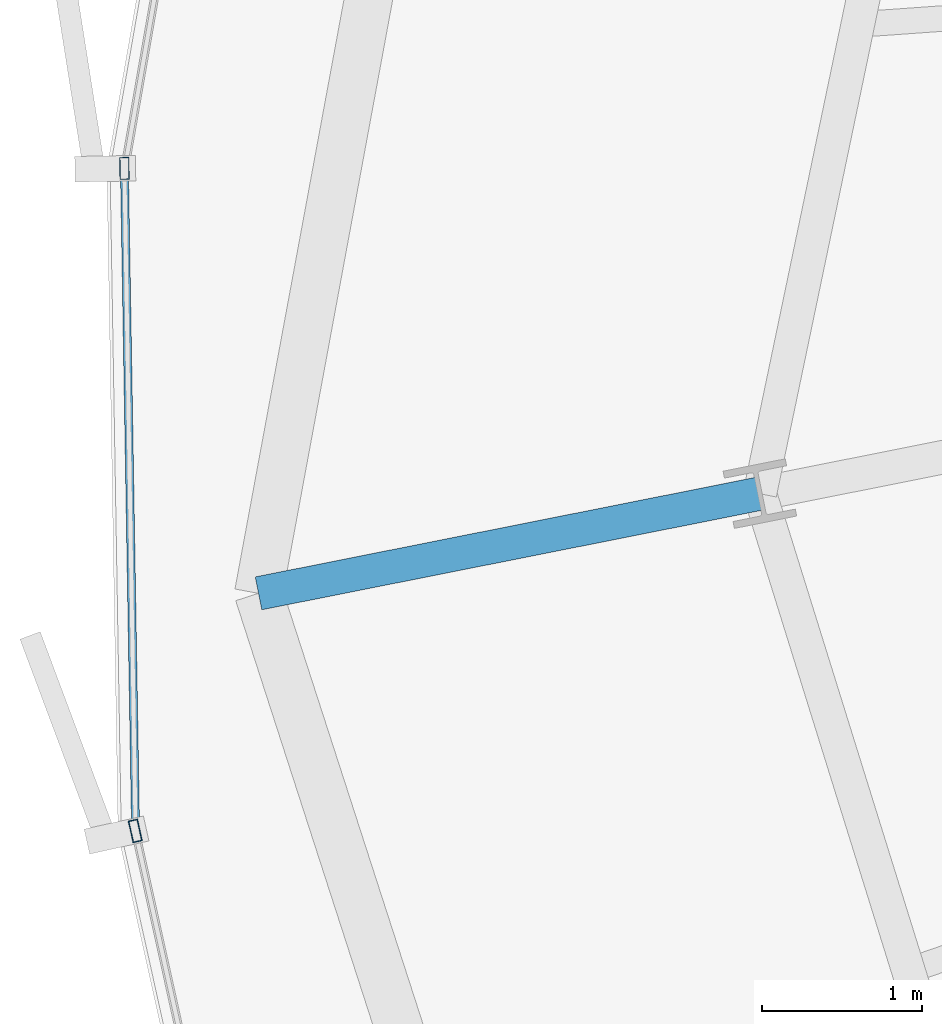
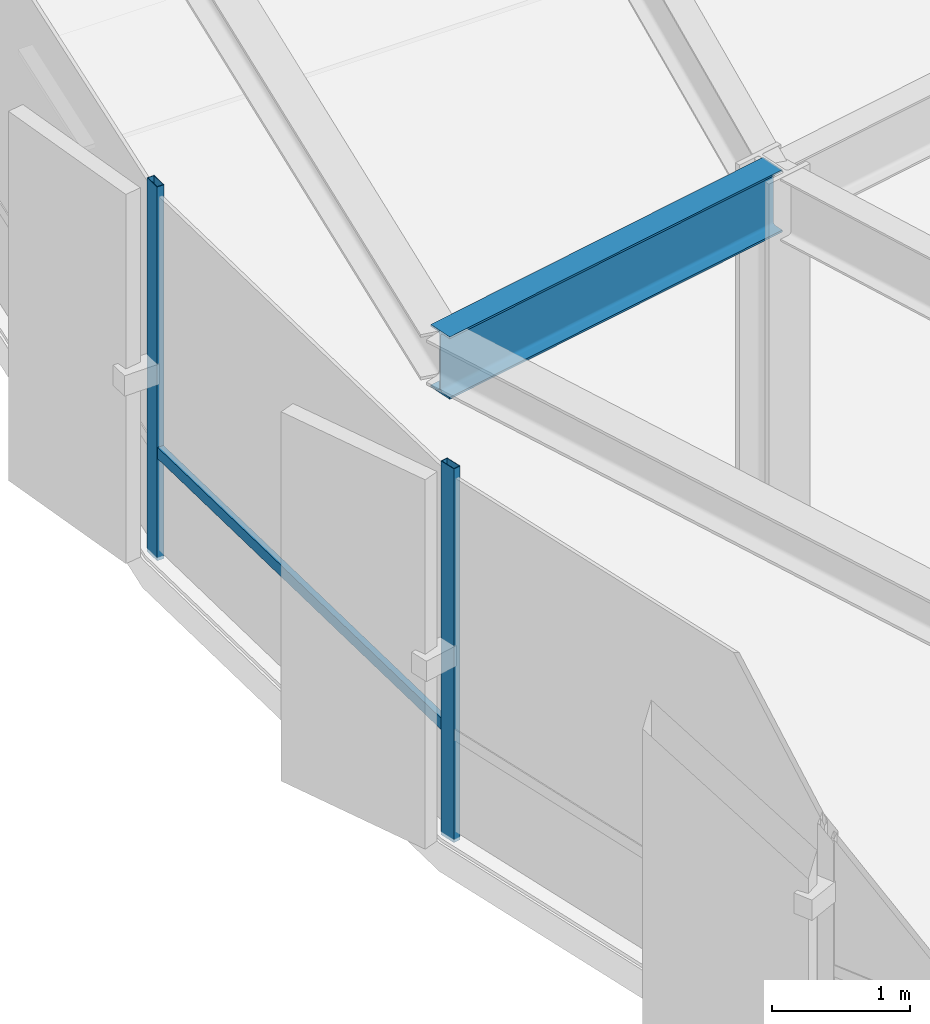
# One storey, part 8 of 32: 3 members, 1 beam, 1 element without a shape of its own.
"""IFC4 building model written with IfcOpenShell, lengths in metres."""

from ifc_helpers import new_model, si_unit, direction, frame, origin, origin_2d, place, context, subcontext, project, spatial, hollow_rectangle, i_section, extrude, source, transform, mapped, material, layer, layer_set, material_profile, profile_set, type_object, element, aggregate, save


model = new_model("IFC4")

# Units and contexts
model_context = context("Model", 3, precision=1e-05, world=origin(), true_north=direction((0.0, 1.0)))
body_context = subcontext(model_context, "Body", "Model", "MODEL_VIEW")
ifc_project = project(units=[si_unit("LENGTHUNIT", "METRE"), si_unit("AREAUNIT", "SQUARE_METRE"), si_unit("VOLUMEUNIT", "CUBIC_METRE"), si_unit("PLANEANGLEUNIT", "RADIAN"), si_unit("MASSUNIT", "GRAM", prefix="KILO"), si_unit("THERMODYNAMICTEMPERATUREUNIT", "KELVIN")], contexts=[model_context])

# Site, building, storey
site_placement = place(None, origin())
site = spatial("IfcSite", under=ifc_project, at=site_placement, CompositionType="ELEMENT")
building_placement = place(site_placement, origin())
building = spatial("IfcBuilding", under=site, at=building_placement, Name="Kethvar Cultural Tower", CompositionType="ELEMENT")
storey_placement = place(building_placement, frame((0.0, 0.0, 157.199951171875)))
storey = spatial("IfcBuildingStorey", under=building, at=storey_placement, Name="L40", CompositionType="ELEMENT", Elevation=157.199951171875)

# Beam
ifc_material_1 = material(Name="Steel S355J2", Category="steel")
ifc_material_profile_1 = material_profile(ifc_material_1, i_section(OverallWidth=0.2099609375, OverallDepth=0.550048828125, WebThickness=0.010986328125, FlangeThickness=0.01708984375, FilletRadius=0.02392578125, at=origin_2d()), Name="Steel S355J2 — IPE550")
ifc_profile_set_1 = profile_set([ifc_material_profile_1], Name="Steel S355J2 — IPE550")
beam_type = type_object("IfcBeamType", Name="BM-IPE550", PredefinedType="BEAM", material=ifc_profile_set_1)
shared_shape_1 = source(origin(), body_context, "Body", "SweptSolid", [
    extrude(i_section(OverallWidth=0.2099609375, OverallDepth=0.550048828125, WebThickness=0.010986328125, FlangeThickness=0.01708984375, FilletRadius=0.02392578125, at=origin_2d()), origin(), (0.0, 0.0, 1.0), 3.199951171875),
])
beam_placement = place(storey_placement, frame((24.185302734375, 23.3017578125, 3.02294921875), z_axis=(-0.980785550224, -0.195088965533, 0.0), x_axis=(0.195088965533, -0.980785550224, 0.0)))
element("IfcBeam", 1, at=beam_placement, inside=storey, type_object=beam_type, Name="L40 Perimeter Cantilever Beam RC-09", PredefinedType="BEAM", context=body_context, shape_type="MappedRepresentation", body=[
    mapped(shared_shape_1, transform((0.0, 0.0, 0.0), scale=1.0)),
])

# Curtain wall, members
ifc_material_2 = material(Name="Aluminium 6063-T6", Category="aluminium")
ifc_layer = layer(ifc_material_2, 0.179931640625, Name="Aluminium 6063-T6", Category="aluminium")
ifc_layer_set = layer_set([ifc_layer], Name="Aluminium 6063-T6 (180 mm)")
curtain_wall_type = type_object("IfcCurtainWallType", Name="CW-SYS-04-Z34", PredefinedType="NOTDEFINED", material=ifc_layer_set)
curtain_wall_placement = place(storey_placement, origin())
curtain_wall = element("IfcCurtainWall", 2, at=curtain_wall_placement, inside=storey, type_object=curtain_wall_type, Name="L40 Curtain Wall Run 03", PredefinedType="NOTDEFINED")
ifc_material_profile_2 = material_profile(ifc_material_2, hollow_rectangle(XDim=0.06005859375, YDim=0.139892578125, WallThickness=0.0048828125, at=origin_2d()), Name="Aluminium 6063-T6 — RHS140x60x5")
ifc_profile_set_2 = profile_set([ifc_material_profile_2], Name="Aluminium 6063-T6 — RHS140x60x5")
member_type_1 = type_object("IfcMemberType", Name="CW-SYS-04-Z34-MUL", PredefinedType="MULLION", material=ifc_profile_set_2)
shared_shape_2 = source(origin(), body_context, "Body", "SweptSolid", [
    extrude(hollow_rectangle(XDim=0.06005859375, YDim=0.139892578125, WallThickness=0.0048828125, at=origin_2d()), origin(), (0.0, 0.0, 1.0), 3.300048828125),
])
member_1_placement = place(storey_placement, frame((20.20703125, 25.337890625, 0.0), z_axis=(0.0, 0.0, 1.0), x_axis=(0.999857581181, 0.016876532643, 0.0)))
member_1 = element("IfcMember", 3, at=member_1_placement, type_object=member_type_1, Name="CW-L40-R03 Mullion 4", PredefinedType="MULLION", context=body_context, shape_type="MappedRepresentation", body=[
    mapped(shared_shape_2, transform((0.0, 0.0, 0.0), scale=1.0)),
])
member_2_placement = place(storey_placement, frame((20.27490234375, 21.190185546875, 0.0), z_axis=(0.0, 0.0, 1.0), x_axis=(0.976299784555, 0.216422574325, 0.0)))
member_2 = element("IfcMember", 4, at=member_2_placement, type_object=member_type_1, Name="CW-L40-R03 Mullion 5", PredefinedType="MULLION", context=body_context, shape_type="MappedRepresentation", body=[
    mapped(shared_shape_2, transform((0.0, 0.0, 0.0), scale=1.0)),
])
ifc_material_profile_3 = material_profile(ifc_material_2, hollow_rectangle(XDim=0.050048828125, YDim=0.10009765625, WallThickness=0.00390625, at=origin_2d()), Name="Aluminium 6063-T6 — RHS100x50x4")
ifc_profile_set_3 = profile_set([ifc_material_profile_3], Name="Aluminium 6063-T6 — RHS100x50x4")
member_type_2 = type_object("IfcMemberType", Name="CW-SYS-04-Z34-TRN", PredefinedType="USERDEFINED", material=ifc_profile_set_3)
shared_shape_3 = source(origin(), body_context, "Body", "SweptSolid", [
    extrude(hollow_rectangle(XDim=0.050048828125, YDim=0.10009765625, WallThickness=0.00390625, at=origin_2d()), origin(), (0.0, 0.0, 1.0), 4.08349609375),
])
member_3_placement = place(storey_placement, frame((20.207763671875, 25.294677734375, 0.949951171875), z_axis=(0.016919366815, -0.999856857268, 0.0), x_axis=(0.999856857268, 0.016919366815, 0.0)))
member_3 = element("IfcMember", 5, at=member_3_placement, type_object=member_type_2, Name="CW-L40-R03 Transom 4", ObjectType="TRANSOM", PredefinedType="USERDEFINED", context=body_context, shape_type="MappedRepresentation", body=[
    mapped(shared_shape_3, transform((0.0, 0.0, 0.0), scale=1.0)),
])
aggregate(curtain_wall, [member_1, member_2, member_3])

save(model, "model.ifc")
